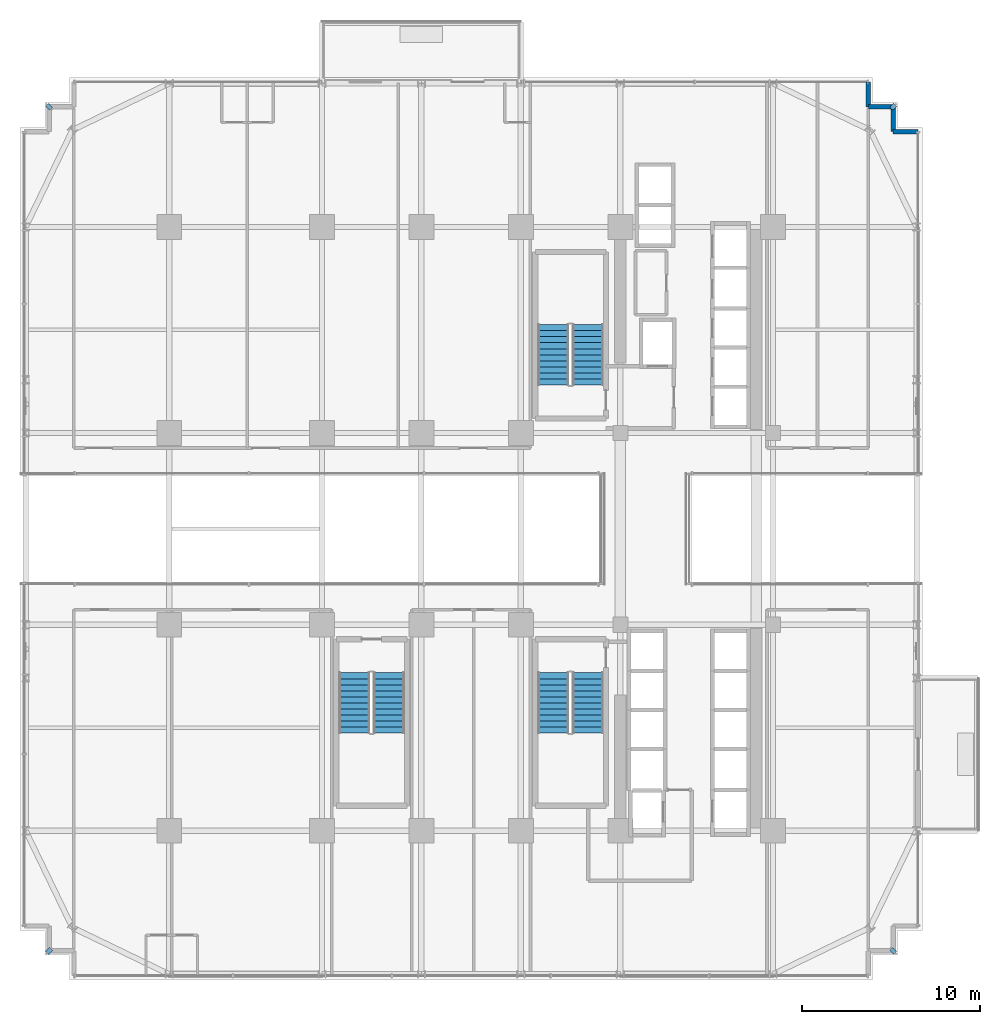
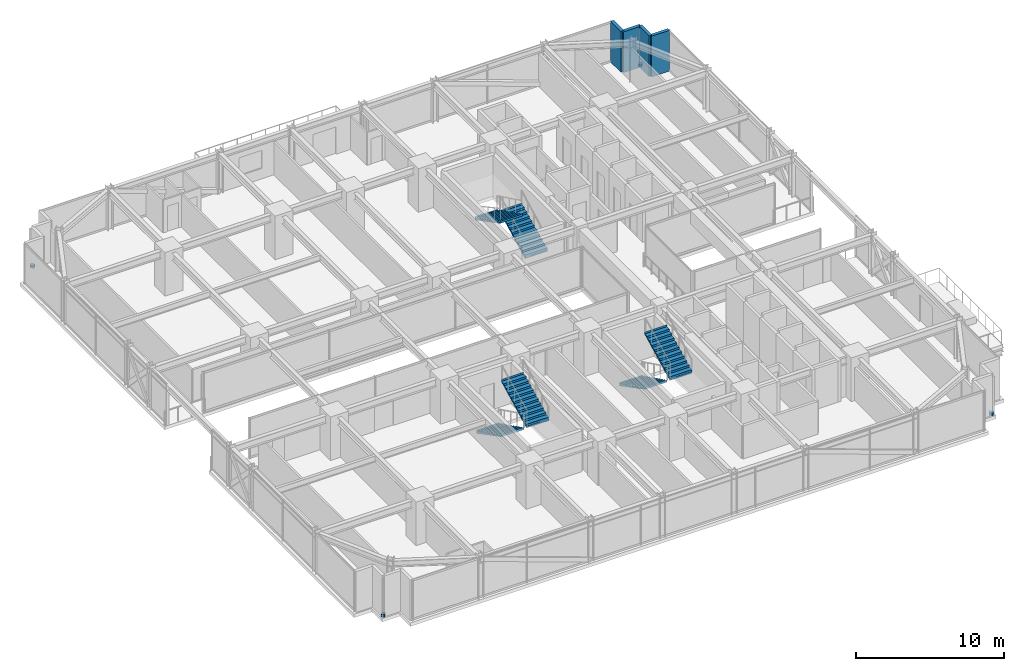
# One storey, part 43 of 47: 6 stair flights, 4 discrete accessories, 4 walls, 3 elements without a shape of their own.
"""IFC4 building model written with IfcOpenShell, lengths in metres."""

from ifc_helpers import new_model, si_unit, direction, frame, frame_2d, origin, origin_2d, place, context, subcontext, project, spatial, polyline, rectangle, outline, extrude, source, transform, mapped, material, layer, layer_set, type_object, element, aggregate, save


model = new_model("IFC4")

# Units and contexts
model_context = context("Model", 3, precision=1e-05, world=origin(), true_north=direction((0.0, 1.0)))
body_context = subcontext(model_context, "Body", "Model", "MODEL_VIEW")
ifc_project = project(units=[si_unit("LENGTHUNIT", "METRE"), si_unit("AREAUNIT", "SQUARE_METRE"), si_unit("VOLUMEUNIT", "CUBIC_METRE"), si_unit("PLANEANGLEUNIT", "RADIAN"), si_unit("MASSUNIT", "GRAM", prefix="KILO")], contexts=[model_context])

# Site, building, storey
site_placement = place(None, origin())
site = spatial("IfcSite", under=ifc_project, at=site_placement, CompositionType="ELEMENT")
building_placement = place(site_placement, origin())
building = spatial("IfcBuilding", under=site, at=building_placement, Name="Nahalor Promenade Grand Hotel", CompositionType="ELEMENT")
storey_placement = place(building_placement, frame((0.0, 0.0, 68.89990234375)))
storey = spatial("IfcBuildingStorey", under=building, at=storey_placement, Name="L16", CompositionType="ELEMENT", Elevation=68.89990234375)

# Walls
ifc_material_1 = material(Name="Concrete B-40 (C32/40)", Category="concrete")
ifc_layer_1 = layer(ifc_material_1, 0.25)
ifc_layer_set_1 = layer_set([ifc_layer_1], Name="Concrete B-40 (C32/40)")
wall_type = type_object("IfcWallType", Name="Wall-BronzePier-250", PredefinedType="STANDARD", material=ifc_layer_set_1)
shared_shape_1 = source(origin(), body_context, "Body", "SweptSolid", [
    extrude(rectangle(XDim=1.39990234375, YDim=0.25, at=frame_2d((0.699951171875, 0.0))), origin(), (0.0, 0.0, 1.0), 3.3701171875),
])
for number, where, z_axis, x_axis, name in (
    (1, (23.760009765625, 22.360107421875, 0.0), (0.0, 0.0, 1.0), (1.0, 0.0, 0.0), "W-L16-SR-05"),
    (2, (23.760009765625, 22.360107421875, 0.0), (0.0, 0.0, 1.0), (0.0, 1.0, 0.0), "W-L16-SR-06"),
    (3, (22.360107421875, 23.760009765625, 0.0), (0.0, 0.0, 1.0), (1.0, 0.0, 0.0), "W-L16-SR-07"),
    (4, (22.360107421875, 23.760009765625, 0.0), (0.0, 0.0, 1.0), (0.0, 1.0, 0.0), "W-L16-SR-08"),
):
    element("IfcWall", number, at=place(storey_placement, frame(where, z_axis=z_axis, x_axis=x_axis)), inside=storey, type_object=wall_type, Name=name, PredefinedType="STANDARD", context=body_context, shape_type="MappedRepresentation", body=[
        mapped(shared_shape_1, transform((0.0, 0.0, 0.0), scale=1.0)),
    ])

# Stair, stair flights
ifc_material_2 = material(Name="Concrete B-50 (C40/50)", Category="concrete")
stair_type_1 = type_object("IfcStairType", Name="Stair-ST1", PredefinedType="HALF_TURN_STAIR", material=ifc_material_2)
stair_1_placement = place(storey_placement, origin())
stair_1 = element("IfcStair", 5, at=stair_1_placement, inside=storey, type_object=stair_type_1, Name="L16 ST1", PredefinedType="HALF_TURN_STAIR")
ifc_layer_2 = layer(ifc_material_2, 0.179931640625)
ifc_layer_set_2 = layer_set([ifc_layer_2], Name="Concrete B-50 (C40/50)")
stair_flight_type_1 = type_object("IfcStairFlightType", Name="Flight-ST1", PredefinedType="STRAIGHT", material=ifc_layer_set_2)
shared_shape_2 = source(origin(), body_context, "Body", "SweptSolid", [
    extrude(outline(polyline([(-0.00390625, -0.1201171875), (-0.00390625, 0.0), (0.0, 0.0), (0.0, 0.166015625), (0.340087890625, 0.166015625), (0.340087890625, 0.331787109375), (0.679931640625, 0.331787109375), (0.679931640625, 0.497802734375), (1.02001953125, 0.497802734375), (1.02001953125, 0.66357421875), (1.360107421875, 0.66357421875), (1.360107421875, 0.82958984375), (1.699951171875, 0.82958984375), (1.699951171875, 0.995361328125), (2.0400390625, 0.995361328125), (2.0400390625, 1.161376953125), (2.3798828125, 1.161376953125), (2.3798828125, 1.327392578125), (2.719970703125, 1.327392578125), (2.719970703125, 1.4931640625), (3.06005859375, 1.4931640625), (3.06005859375, 1.6591796875), (3.39990234375, 1.6591796875), (3.39990234375, 1.824951171875), (3.404052734375, 1.824951171875), (3.404052734375, 1.64501953125), (0.02001953125, -0.1201171875), (-0.00390625, -0.1201171875)])), frame((0.0, 0.875, 0.0), z_axis=(0.0, -1.0, 0.0), x_axis=(1.0, 0.0, 0.0)), (0.0, 0.0, 1.0), 1.75),
])
stair_flight_1_placement = place(storey_placement, frame((6.574951171875, 8.10009765625, 0.0), z_axis=(0.0, 0.0, 1.0), x_axis=(0.0, 1.0, 0.0)))
stair_flight_1 = element("IfcStairFlight", 6, at=stair_flight_1_placement, type_object=stair_flight_type_1, Name="ST1 flight 1", NumberOfRisers=11, NumberOfTreads=10, PredefinedType="STRAIGHT", RiserHeight=0.165909091, TreadLength=0.34, context=body_context, shape_type="MappedRepresentation", body=[
    mapped(shared_shape_2, transform((0.0, 0.0, 0.0), scale=1.0)),
])
stair_flight_2_placement = place(storey_placement, frame((4.625, 11.5, 1.8251953125), z_axis=(0.0, 0.0, 1.0), x_axis=(0.0, -1.0, 0.0)))
stair_flight_2 = element("IfcStairFlight", 7, at=stair_flight_2_placement, type_object=stair_flight_type_1, Name="ST1 flight 2", NumberOfRisers=11, NumberOfTreads=10, PredefinedType="STRAIGHT", RiserHeight=0.165909091, TreadLength=0.34, context=body_context, shape_type="MappedRepresentation", body=[
    mapped(shared_shape_2, transform((0.0, 0.0, 0.0), scale=1.0)),
])
aggregate(stair_1, [stair_flight_1, stair_flight_2])

stair_type_2 = type_object("IfcStairType", Name="Stair-ST2", PredefinedType="HALF_TURN_STAIR", material=ifc_material_2)
stair_2_placement = place(storey_placement, origin())
stair_2 = element("IfcStair", 8, at=stair_2_placement, inside=storey, type_object=stair_type_2, Name="L16 ST2", PredefinedType="HALF_TURN_STAIR")
ifc_layer_3 = layer(ifc_material_2, 0.18994140625)
ifc_layer_set_3 = layer_set([ifc_layer_3], Name="Concrete B-50 (C40/50)")
stair_flight_type_2 = type_object("IfcStairFlightType", Name="Flight-ST2", PredefinedType="STRAIGHT", material=ifc_layer_set_3)
shared_shape_3 = source(origin(), body_context, "Body", "SweptSolid", [
    extrude(outline(polyline([(-0.00390625, -0.1201171875), (-0.00390625, 0.0), (0.0, 0.0), (0.0, 0.166015625), (0.340087890625, 0.166015625), (0.340087890625, 0.331787109375), (0.679931640625, 0.331787109375), (0.679931640625, 0.497802734375), (1.02001953125, 0.497802734375), (1.02001953125, 0.66357421875), (1.360107421875, 0.66357421875), (1.360107421875, 0.82958984375), (1.699951171875, 0.82958984375), (1.699951171875, 0.995361328125), (2.0400390625, 0.995361328125), (2.0400390625, 1.161376953125), (2.3798828125, 1.161376953125), (2.3798828125, 1.327392578125), (2.719970703125, 1.327392578125), (2.719970703125, 1.4931640625), (3.06005859375, 1.4931640625), (3.06005859375, 1.6591796875), (3.39990234375, 1.6591796875), (3.39990234375, 1.824951171875), (3.404052734375, 1.824951171875), (3.404052734375, 1.64501953125), (0.02001953125, -0.1201171875), (-0.00390625, -0.1201171875)])), frame((0.0, 0.875, 0.0), z_axis=(0.0, -1.0, 0.0), x_axis=(1.0, 0.0, 0.0)), (0.0, 0.0, 1.0), 1.75),
])
stair_flight_3_placement = place(storey_placement, frame((4.625, -8.10009765625, 0.0), z_axis=(0.0, 0.0, 1.0), x_axis=(0.0, -1.0, 0.0)))
stair_flight_3 = element("IfcStairFlight", 9, at=stair_flight_3_placement, type_object=stair_flight_type_2, Name="ST2 flight 1", NumberOfRisers=11, NumberOfTreads=10, PredefinedType="STRAIGHT", RiserHeight=0.165909091, TreadLength=0.34, context=body_context, shape_type="MappedRepresentation", body=[
    mapped(shared_shape_3, transform((0.0, 0.0, 0.0), scale=1.0)),
])
stair_flight_4_placement = place(storey_placement, frame((6.574951171875, -11.5, 1.8251953125), z_axis=(0.0, 0.0, 1.0), x_axis=(0.0, 1.0, 0.0)))
stair_flight_4 = element("IfcStairFlight", 10, at=stair_flight_4_placement, type_object=stair_flight_type_2, Name="ST2 flight 2", NumberOfRisers=11, NumberOfTreads=10, PredefinedType="STRAIGHT", RiserHeight=0.165909091, TreadLength=0.34, context=body_context, shape_type="MappedRepresentation", body=[
    mapped(shared_shape_3, transform((0.0, 0.0, 0.0), scale=1.0)),
])
aggregate(stair_2, [stair_flight_3, stair_flight_4])

stair_type_3 = type_object("IfcStairType", Name="Stair-ST3", PredefinedType="HALF_TURN_STAIR", material=ifc_material_2)
stair_3_placement = place(storey_placement, origin())
stair_3 = element("IfcStair", 11, at=stair_3_placement, inside=storey, type_object=stair_type_3, Name="L16 ST3", PredefinedType="HALF_TURN_STAIR")
ifc_layer_4 = layer(ifc_material_2, 0.199951171875)
ifc_layer_set_4 = layer_set([ifc_layer_4], Name="Concrete B-50 (C40/50)")
stair_flight_type_3 = type_object("IfcStairFlightType", Name="Flight-ST3", PredefinedType="STRAIGHT", material=ifc_layer_set_4)
shared_shape_4 = source(origin(), body_context, "Body", "SweptSolid", [
    extrude(outline(polyline([(-0.00390625, -0.1201171875), (-0.00390625, 0.0), (0.0, 0.0), (0.0, 0.166015625), (0.340087890625, 0.166015625), (0.340087890625, 0.331787109375), (0.679931640625, 0.331787109375), (0.679931640625, 0.497802734375), (1.02001953125, 0.497802734375), (1.02001953125, 0.66357421875), (1.360107421875, 0.66357421875), (1.360107421875, 0.82958984375), (1.699951171875, 0.82958984375), (1.699951171875, 0.995361328125), (2.0400390625, 0.995361328125), (2.0400390625, 1.161376953125), (2.3798828125, 1.161376953125), (2.3798828125, 1.327392578125), (2.719970703125, 1.327392578125), (2.719970703125, 1.4931640625), (3.06005859375, 1.4931640625), (3.06005859375, 1.6591796875), (3.39990234375, 1.6591796875), (3.39990234375, 1.824951171875), (3.404052734375, 1.824951171875), (3.404052734375, 1.64501953125), (0.02001953125, -0.1201171875), (-0.00390625, -0.1201171875)])), frame((0.0, 0.875, 0.0), z_axis=(0.0, -1.0, 0.0), x_axis=(1.0, 0.0, 0.0)), (0.0, 0.0, 1.0), 1.75),
])
stair_flight_5_placement = place(storey_placement, frame((-6.574951171875, -8.10009765625, 0.0), z_axis=(0.0, 0.0, 1.0), x_axis=(0.0, -1.0, 0.0)))
stair_flight_5 = element("IfcStairFlight", 12, at=stair_flight_5_placement, type_object=stair_flight_type_3, Name="ST3 flight 1", NumberOfRisers=11, NumberOfTreads=10, PredefinedType="STRAIGHT", RiserHeight=0.165909091, TreadLength=0.34, context=body_context, shape_type="MappedRepresentation", body=[
    mapped(shared_shape_4, transform((0.0, 0.0, 0.0), scale=1.0)),
])
stair_flight_6_placement = place(storey_placement, frame((-4.625, -11.5, 1.8251953125), z_axis=(0.0, 0.0, 1.0), x_axis=(0.0, 1.0, 0.0)))
stair_flight_6 = element("IfcStairFlight", 13, at=stair_flight_6_placement, type_object=stair_flight_type_3, Name="ST3 flight 2", NumberOfRisers=11, NumberOfTreads=10, PredefinedType="STRAIGHT", RiserHeight=0.165909091, TreadLength=0.34, context=body_context, shape_type="MappedRepresentation", body=[
    mapped(shared_shape_4, transform((0.0, 0.0, 0.0), scale=1.0)),
])
aggregate(stair_3, [stair_flight_5, stair_flight_6])

# Discrete accessories
ifc_material_3 = material(Name="Steel S355JR", Category="steel")
discrete_accessory_type = type_object("IfcDiscreteAccessoryType", Name="Bracket-FacadeCleat-Bronze", PredefinedType="BRACKET", material=ifc_material_3)
shared_shape_5 = source(origin(), body_context, "Body", "SweptSolid", [
    extrude(rectangle(XDim=0.300048828125, YDim=0.239990234375, at=origin_2d()), origin(), (0.0, 0.0, 1.0), 0.219970703125),
])
for number, where, z_axis, x_axis, name in (
    (14, (-23.760009765625, -23.760009765625, 0.0), (0.0, 0.0, 1.0), (0.707106781187, 0.707106781187, 0.0), "BK-L16-SW"),
    (15, (23.760009765625, -23.760009765625, 0.0), (0.0, 0.0, 1.0), (-0.707106781187, 0.707106781187, 0.0), "BK-L16-SE"),
    (16, (23.760009765625, 23.760009765625, 0.0), (0.0, 0.0, 1.0), (0.707106781187, 0.707106781187, 0.0), "BK-L16-NE"),
    (17, (-23.760009765625, 23.760009765625, 0.0), (0.0, 0.0, 1.0), (-0.707106781187, 0.707106781187, 0.0), "BK-L16-NW"),
):
    element("IfcDiscreteAccessory", number, at=place(storey_placement, frame(where, z_axis=z_axis, x_axis=x_axis)), inside=storey, type_object=discrete_accessory_type, Name=name, PredefinedType="BRACKET", context=body_context, shape_type="MappedRepresentation", body=[
        mapped(shared_shape_5, transform((0.0, 0.0, 0.0), scale=1.0)),
    ])

save(model, "model.ifc")
